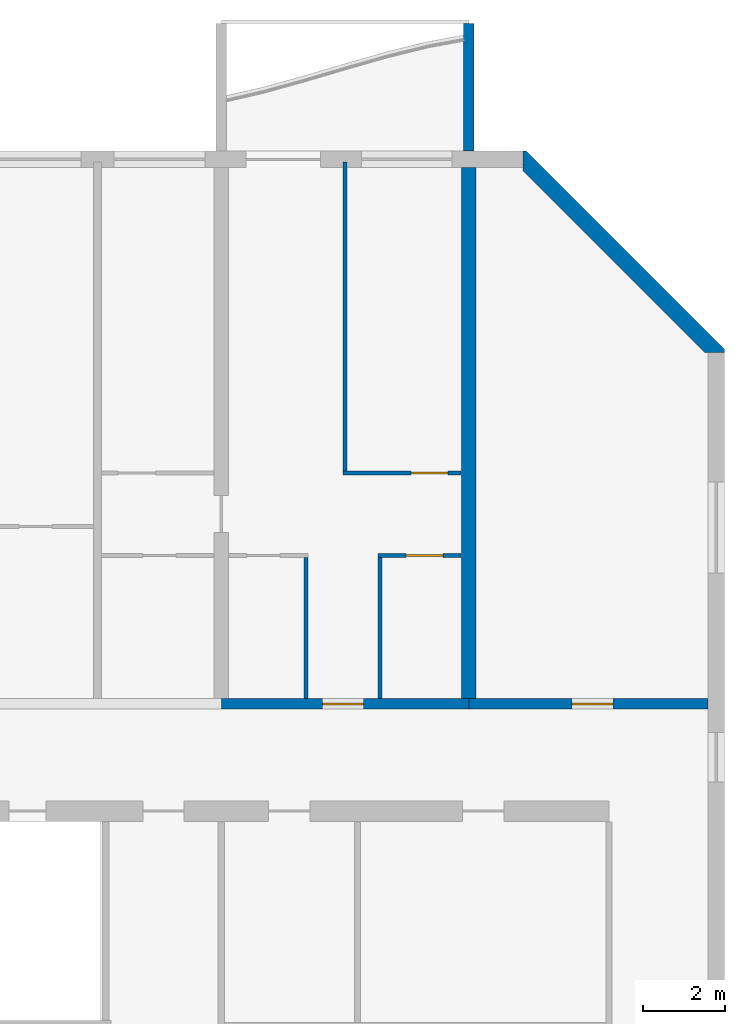
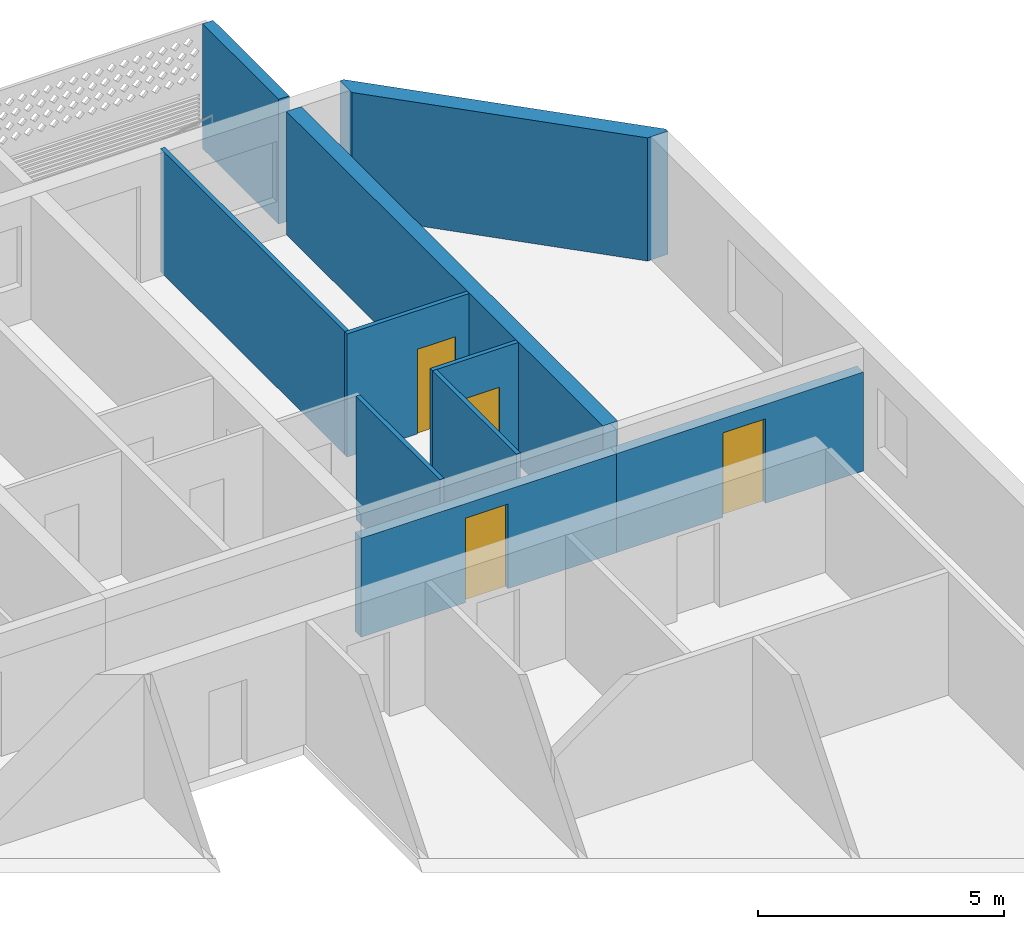
# One storey, part 16 of 29: 10 walls, 4 doors, 4 openings.
"""IFC4 building model written with IfcOpenShell, lengths in metres."""

from ifc_helpers import new_model, si_unit, direction, frame, frame_2d, origin, place, context, subcontext, project, spatial, polyline, rectangle, outline, extrude, source, transform, mapped, material, layer, layer_set, type_object, element, fill, save


model = new_model("IFC4")

# Units and contexts
model_context = context("Model", 3, precision=1e-05, world=origin(), true_north=direction((0.0, 1.0)))
body_context = subcontext(model_context, "Body", "Model", "MODEL_VIEW")
ifc_project = project(units=[si_unit("LENGTHUNIT", "METRE"), si_unit("AREAUNIT", "SQUARE_METRE"), si_unit("VOLUMEUNIT", "CUBIC_METRE"), si_unit("PLANEANGLEUNIT", "RADIAN"), si_unit("MASSUNIT", "GRAM", prefix="KILO")], contexts=[model_context])

# Site, building, storey
site_placement = place(None, origin())
site = spatial("IfcSite", under=ifc_project, at=site_placement, CompositionType="ELEMENT")
building_placement = place(site_placement, origin())
building = spatial("IfcBuilding", under=site, at=building_placement, Name="Poui Terraces", CompositionType="ELEMENT")
storey_placement = place(building_placement, frame((0.0, 0.0, 86.10009765625)))
storey = spatial("IfcBuildingStorey", under=building, at=storey_placement, Name="L23", CompositionType="ELEMENT", Elevation=86.10009765625)

# Wall, opening, door
ifc_material_1 = material(Name="Concrete 65 MPa", Category="concrete")
ifc_layer_1 = layer(ifc_material_1, 0.25)
ifc_layer_set_1 = layer_set([ifc_layer_1], Name="Concrete 65 MPa")
wall_type_1 = type_object("IfcWallType", Name="CORRIDOR WALL 250 65MPa", PredefinedType="SHEAR", material=ifc_layer_set_1)
wall_1_placement = place(storey_placement, frame((84.0, 30.39990234375, 0.0), z_axis=(0.0, 0.0, 1.0), x_axis=(1.0, 0.0, 0.0)))
wall_1 = element("IfcWall", 1, at=wall_1_placement, inside=storey, type_object=wall_type_1, Name="CORRIDOR WALL LINE E BAY 14", PredefinedType="SHEAR", context=body_context, shape_type="SweptSolid", body=[
    extrude(rectangle(XDim=6.0, YDim=0.25, at=frame_2d((3.0, 0.0))), origin(), (0.0, 0.0, 1.0), 2.4599609375),
])
opening_1_placement = place(wall_1_placement, frame((2.449951171875, 0.0, 0.0)))
opening_1 = element("IfcOpeningElement", 2, at=opening_1_placement, cuts=wall_1, Name="Opening FD30S", PredefinedType="OPENING", context=body_context, shape_type="SweptSolid", body=[
    extrude(rectangle(XDim=1.0, YDim=2.10009765625, at=frame_2d((0.5, 1.050048828125))), frame((0.0, 0.135009765625, 0.0), z_axis=(0.0, -1.0, 0.0), x_axis=(1.0, 0.0, 0.0)), (0.0, 0.0, 1.0), 0.27001953125),
])
ifc_material_2 = material(Name="Steel fire door", Category="steel")
door_type_1 = type_object("IfcDoorType", Name="FLAT ENTRANCE DOOR 1000 X 2100", OperationType="NOTDEFINED", PredefinedType="DOOR", material=ifc_material_2)
door_1_placement = place(opening_1_placement, origin())
door_1 = element("IfcDoor", 3, at=door_1_placement, inside=storey, type_object=door_type_1, Name="FLAT ENTRANCE DOOR 081", OperationType="SINGLE_SWING_LEFT", OverallHeight=2.10009765625, OverallWidth=1.0, PredefinedType="DOOR", context=body_context, shape_type="SweptSolid", body=[
    extrude(rectangle(XDim=1.0, YDim=2.10009765625, at=frame_2d((0.5, 1.050048828125))), frame((0.0, 0.02490234375, 0.0), z_axis=(0.0, -1.0, 0.0), x_axis=(1.0, 0.0, 0.0)), (0.0, 0.0, 1.0), 0.050048828125),
])
fill(opening_1, door_1)

wall_2_placement = place(storey_placement, frame((90.0, 30.39990234375, 0.0), z_axis=(0.0, 0.0, 1.0), x_axis=(1.0, 0.0, 0.0)))
wall_2 = element("IfcWall", 4, at=wall_2_placement, inside=storey, type_object=wall_type_1, Name="CORRIDOR WALL LINE E BAY 15", PredefinedType="SHEAR", context=body_context, shape_type="SweptSolid", body=[
    extrude(rectangle(XDim=5.800048828125, YDim=0.25, at=frame_2d((2.89990234375, 0.0))), origin(), (0.0, 0.0, 1.0), 2.4599609375),
])
opening_2_placement = place(wall_2_placement, frame((2.5, 0.0, 0.0)))
opening_2 = element("IfcOpeningElement", 5, at=opening_2_placement, cuts=wall_2, Name="Opening D100", PredefinedType="OPENING", context=body_context, shape_type="SweptSolid", body=[
    extrude(rectangle(XDim=1.0, YDim=2.10009765625, at=frame_2d((0.5, 1.050048828125))), frame((0.0, 0.135009765625, 0.0), z_axis=(0.0, -1.0, 0.0), x_axis=(1.0, 0.0, 0.0)), (0.0, 0.0, 1.0), 0.27001953125),
])
ifc_material_3 = material(Name="Solid core timber door", Category="wood")
door_type_2 = type_object("IfcDoorType", Name="ACCESSIBLE INTERNAL DOOR 1000 X 2100", OperationType="NOTDEFINED", PredefinedType="DOOR", material=ifc_material_3)
door_2_placement = place(opening_2_placement, origin())
door_2 = element("IfcDoor", 6, at=door_2_placement, inside=storey, type_object=door_type_2, Name="ACCESSIBLE INTERNAL DOOR 084", OperationType="SINGLE_SWING_LEFT", OverallHeight=2.10009765625, OverallWidth=1.0, PredefinedType="DOOR", context=body_context, shape_type="SweptSolid", body=[
    extrude(rectangle(XDim=1.0, YDim=2.10009765625, at=frame_2d((0.5, 1.050048828125))), frame((0.0, 0.02490234375, 0.0), z_axis=(0.0, -1.0, 0.0), x_axis=(1.0, 0.0, 0.0)), (0.0, 0.0, 1.0), 0.050048828125),
])
fill(opening_2, door_2)

# Wall
ifc_layer_2 = layer(ifc_material_1, 0.35009765625)
ifc_layer_set_2 = layer_set([ifc_layer_2], Name="Concrete 65 MPa")
wall_type_2 = type_object("IfcWallType", Name="CROSS WALL 350 65MPa", PredefinedType="SHEAR", material=ifc_layer_set_2)
wall_3_placement = place(storey_placement, frame((90.0, 30.52490234375, 0.0), z_axis=(0.0, 0.0, 1.0), x_axis=(0.0, 1.0, 0.0)))
element("IfcWall", 7, at=wall_3_placement, inside=storey, type_object=wall_type_2, Name="CROSS WALL LINE 16 NORTH", PredefinedType="SHEAR", context=body_context, shape_type="SweptSolid", body=[
    extrude(rectangle(XDim=12.875, YDim=0.35009765625, at=frame_2d((6.4375, 0.0))), origin(), (0.0, 0.0, 1.0), 3.059814453125),
])

# Wall, opening, door
ifc_material_4 = material(Name="Plasterboard partition")
ifc_layer_3 = layer(ifc_material_4, 0.10009765625)
ifc_layer_set_3 = layer_set([ifc_layer_3], Name="Plasterboard partition")
wall_type_3 = type_object("IfcWallType", Name="FLAT PARTITION 100", PredefinedType="PARTITIONING", material=ifc_layer_set_3)
wall_4_placement = place(storey_placement, frame((87.800048828125, 34.0, 0.0), z_axis=(0.0, 0.0, 1.0), x_axis=(1.0, 0.0, 0.0)))
wall_4 = element("IfcWall", 8, at=wall_4_placement, inside=storey, type_object=wall_type_3, Name="FLAT PARTITION 100", PredefinedType="PARTITIONING", context=body_context, shape_type="SweptSolid", body=[
    extrude(rectangle(XDim=2.014892578125, YDim=0.10009765625, at=frame_2d((1.00732421875, 0.0))), origin(), (0.0, 0.0, 1.0), 3.059814453125),
])
opening_3_placement = place(wall_4_placement, frame((0.675048828125, 0.0, 0.0)))
opening_3 = element("IfcOpeningElement", 9, at=opening_3_placement, cuts=wall_4, Name="Opening D90", PredefinedType="OPENING", context=body_context, shape_type="SweptSolid", body=[
    extrude(rectangle(XDim=0.89990234375, YDim=2.10009765625, at=frame_2d((0.449951171875, 1.050048828125))), frame((0.0, 0.06005859375, 0.0), z_axis=(0.0, -1.0, 0.0), x_axis=(1.0, 0.0, 0.0)), (0.0, 0.0, 1.0), 0.1201171875),
])
door_type_3 = type_object("IfcDoorType", Name="INTERNAL DOOR 900 X 2100", OperationType="NOTDEFINED", PredefinedType="DOOR", material=ifc_material_3)
door_3_placement = place(opening_3_placement, frame((0.89990234375, 0.0, 0.0), z_axis=(0.0, 0.0, 1.0), x_axis=(-1.0, 0.0, 0.0)))
door_3 = element("IfcDoor", 10, at=door_3_placement, inside=storey, type_object=door_type_3, Name="INTERNAL DOOR 082", OperationType="SINGLE_SWING_LEFT", OverallHeight=2.10009765625, OverallWidth=0.89990234375, PredefinedType="DOOR", context=body_context, shape_type="SweptSolid", body=[
    extrude(rectangle(XDim=0.89990234375, YDim=2.10009765625, at=frame_2d((0.449951171875, 1.050048828125))), frame((0.0, 0.02490234375, 0.0), z_axis=(0.0, -1.0, 0.0), x_axis=(1.0, 0.0, 0.0)), (0.0, 0.0, 1.0), 0.050048828125),
])
fill(opening_3, door_3)

wall_5_placement = place(storey_placement, frame((86.949951171875, 36.0, 0.0), z_axis=(0.0, 0.0, 1.0), x_axis=(1.0, 0.0, 0.0)))
wall_5 = element("IfcWall", 11, at=wall_5_placement, inside=storey, type_object=wall_type_3, Name="FLAT PARTITION 100", PredefinedType="PARTITIONING", context=body_context, shape_type="SweptSolid", body=[
    extrude(rectangle(XDim=2.864990234375, YDim=0.10009765625, at=frame_2d((1.4326171875, 0.0))), origin(), (0.0, 0.0, 1.0), 3.059814453125),
])
opening_4_placement = place(wall_5_placement, frame((1.64990234375, 0.0, 0.0)))
opening_4 = element("IfcOpeningElement", 12, at=opening_4_placement, cuts=wall_5, Name="Opening D90", PredefinedType="OPENING", context=body_context, shape_type="SweptSolid", body=[
    extrude(rectangle(XDim=0.89990234375, YDim=2.10009765625, at=frame_2d((0.449951171875, 1.050048828125))), frame((0.0, 0.06005859375, 0.0), z_axis=(0.0, -1.0, 0.0), x_axis=(1.0, 0.0, 0.0)), (0.0, 0.0, 1.0), 0.1201171875),
])
door_4_placement = place(opening_4_placement, frame((0.89990234375, 0.0, 0.0), z_axis=(0.0, 0.0, 1.0), x_axis=(-1.0, 0.0, 0.0)))
door_4 = element("IfcDoor", 13, at=door_4_placement, inside=storey, type_object=door_type_3, Name="INTERNAL DOOR 083", OperationType="SINGLE_SWING_RIGHT", OverallHeight=2.10009765625, OverallWidth=0.89990234375, PredefinedType="DOOR", context=body_context, shape_type="SweptSolid", body=[
    extrude(rectangle(XDim=0.89990234375, YDim=2.10009765625, at=frame_2d((0.449951171875, 1.050048828125))), frame((0.0, 0.02490234375, 0.0), z_axis=(0.0, -1.0, 0.0), x_axis=(1.0, 0.0, 0.0)), (0.0, 0.0, 1.0), 0.050048828125),
])
fill(opening_4, door_4)

# Walls
wall_6_placement = place(storey_placement, frame((86.050048828125, 30.534912109375, 0.0), z_axis=(0.0, 0.0, 1.0), x_axis=(0.0, 1.0, 0.0)))
element("IfcWall", 14, at=wall_6_placement, inside=storey, type_object=wall_type_3, Name="FLAT PARTITION 100", PredefinedType="PARTITIONING", context=body_context, shape_type="SweptSolid", body=[
    extrude(rectangle(XDim=3.4150390625, YDim=0.10009765625, at=frame_2d((1.70751953125, 0.0))), origin(), (0.0, 0.0, 1.0), 3.059814453125),
])
wall_7_placement = place(storey_placement, frame((87.0, 36.050048828125, 0.0), z_axis=(0.0, 0.0, 1.0), x_axis=(0.0, 1.0, 0.0)))
element("IfcWall", 15, at=wall_7_placement, inside=storey, type_object=wall_type_3, Name="FLAT PARTITION 100", PredefinedType="PARTITIONING", context=body_context, shape_type="SweptSolid", body=[
    extrude(rectangle(XDim=7.489990234375, YDim=0.10009765625, at=frame_2d((3.7451171875, 0.0))), origin(), (0.0, 0.0, 1.0), 3.059814453125),
])
wall_8_placement = place(storey_placement, frame((87.85009765625, 30.534912109375, 0.0), z_axis=(0.0, 0.0, 1.0), x_axis=(0.0, 1.0, 0.0)))
element("IfcWall", 16, at=wall_8_placement, inside=storey, type_object=wall_type_3, Name="FLAT PARTITION 100", PredefinedType="PARTITIONING", context=body_context, shape_type="SweptSolid", body=[
    extrude(rectangle(XDim=3.4150390625, YDim=0.10009765625, at=frame_2d((1.70751953125, 0.0))), origin(), (0.0, 0.0, 1.0), 3.059814453125),
])
ifc_material_5 = material(Name="Precast concrete 40 MPa", Category="concrete")
ifc_layer_4 = layer(ifc_material_5, 0.39990234375)
ifc_layer_set_4 = layer_set([ifc_layer_4], Name="Precast concrete 40 MPa")
wall_type_4 = type_object("IfcWallType", Name="TERRACOTTA CLAD CHAMFER WALL 400", PredefinedType="STANDARD", material=ifc_layer_set_4)
wall_9_placement = place(storey_placement, origin())
element("IfcWall", 17, at=wall_9_placement, inside=storey, type_object=wall_type_4, Name="CHAMFER WALL CH03", PredefinedType="STANDARD", context=body_context, shape_type="SweptSolid", body=[
    extrude(outline(polyline([(96.199951171875, 38.917236328125), (96.199951171875, 39.0), (91.39990234375, 43.800048828125), (91.317138671875, 43.800048828125), (91.317138671875, 43.317138671875), (95.71728515625, 38.917236328125), (96.199951171875, 38.917236328125)])), origin(), (0.0, 0.0, 1.0), 3.059814453125),
])
ifc_layer_5 = layer(ifc_material_5, 0.25)
ifc_layer_set_5 = layer_set([ifc_layer_5], Name="Precast concrete 40 MPa")
wall_type_5 = type_object("IfcWallType", Name="BALCONY FIN 250", PredefinedType="STANDARD", material=ifc_layer_set_5)
shared_shape = source(origin(), body_context, "Body", "SweptSolid", [
    extrude(outline(polyline([(0.0, 0.0), (0.25, 0.0), (0.25, 3.099853515625), (0.0, 3.099853515625), (0.0, 0.0)])), origin(), (0.0, 0.0, 1.0), 3.099853515625),
])
wall_10_placement = place(storey_placement, frame((89.875, 43.800048828125, 0.0)))
element("IfcWall", 18, at=wall_10_placement, inside=storey, type_object=wall_type_5, Name="BALCONY FIN", PredefinedType="STANDARD", context=body_context, shape_type="MappedRepresentation", body=[
    mapped(shared_shape, transform((0.0, 0.0, 0.0))),
])

save(model, "model.ifc")
